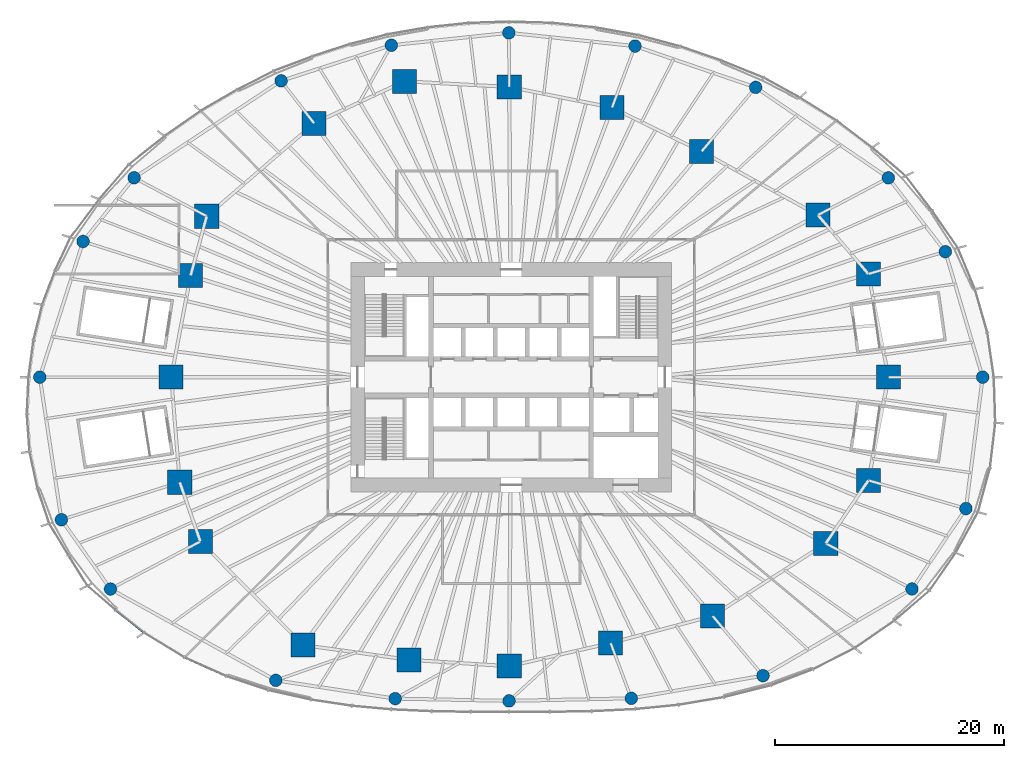
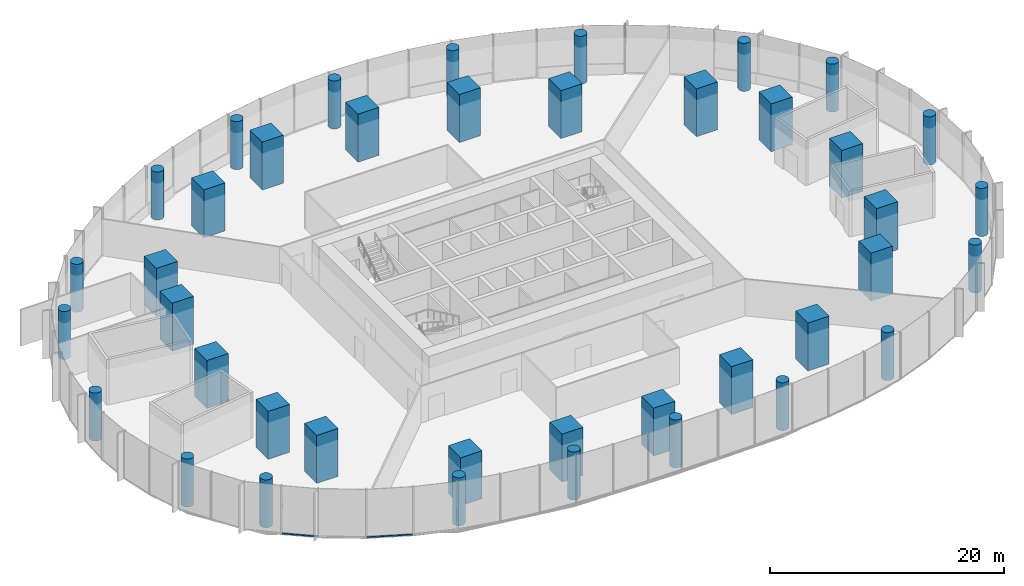
# One storey, part 1 of 27: 40 columns, 2 members, 2 elements without a shape of their own.
"""IFC4 building model written with IfcOpenShell, lengths in metres."""

import ifcopenshell
import ifcopenshell.guid

model = None  # the IFC model being written
_history = None  # IfcOwnerHistory: only IFC2X3 demands one
_inside = {}  # id of a spatial element -> (the spatial element, [elements in it])
_under = {}  # id of a project, library or spatial element -> (it, [spatial elements below it])
_declared = {}  # id of a project -> (the project, [libraries it declares])
_typed = {}  # id of a type object -> (the type object, [elements of that type])
_made_of = {}  # id of a material, layer set ... -> (it, [elements and type objects made of it])


def new_model(schema):
    """Start an empty IFC model of exactly this schema.

    Asked for "IFC4X3", IfcOpenShell would pick the latest addendum, in which some entities
    have other attributes; the version numbers below select the first issue.
    IFC2X3 requires an IfcOwnerHistory on every rooted entity: one is made here for all.
    """
    global model, _history
    if schema == "IFC4X3":
        model = ifcopenshell.file(schema_version=(4, 3, 0, 0))
    else:
        model = ifcopenshell.file(schema=schema)
    _inside.clear()
    _under.clear()
    _declared.clear()
    _typed.clear()
    _made_of.clear()
    _history = None
    if model.schema == "IFC2X3":
        org = make("IfcOrganization", Name="unknown")
        user = make(
            "IfcPersonAndOrganization",
            ThePerson=make("IfcPerson", FamilyName="unknown"),
            TheOrganization=org,
        )
        app = make(
            "IfcApplication",
            ApplicationDeveloper=org,
            Version="unknown",
            ApplicationFullName="unknown",
            ApplicationIdentifier="unknown",
        )
        _history = make(
            "IfcOwnerHistory",
            OwningUser=user,
            OwningApplication=app,
            ChangeAction="ADDED",
            CreationDate=0,
        )
    return model


def make(cls, **values):
    """One entity of the class cls with the attributes given. An attribute that is None is left unset."""
    return model.create_entity(
        cls, **{name: value for name, value in values.items() if value is not None}
    )


def rooted(cls, **values):
    """An entity with a GlobalId (a new one), such as an element, a storey or a relation."""
    return make(cls, GlobalId=ifcopenshell.guid.new(), OwnerHistory=_history, **values)


def si_unit(unit_type, name, prefix=None):
    """IfcSIUnit, for example si_unit("LENGTHUNIT", "METRE", prefix="MILLI")."""
    return make("IfcSIUnit", UnitType=unit_type, Prefix=prefix, Name=name)


def assignment(units):
    """IfcUnitAssignment: the units of a project."""
    return None if units is None else make("IfcUnitAssignment", Units=units)


def point(xyz):
    """IfcCartesianPoint."""
    return None if xyz is None else make("IfcCartesianPoint", Coordinates=xyz)


def direction(xyz):
    """IfcDirection."""
    return None if xyz is None else make("IfcDirection", DirectionRatios=xyz)


def frame(location, z_axis=None, x_axis=None):
    """IfcAxis2Placement3D, a coordinate frame: its origin and axes. An axis left out is left unset."""
    return make(
        "IfcAxis2Placement3D",
        Location=point(location),
        Axis=direction(z_axis),
        RefDirection=direction(x_axis),
    )


def frame_2d(location, x_axis=None):
    """IfcAxis2Placement2D, a coordinate frame in the plane: its origin and x axis."""
    return make(
        "IfcAxis2Placement2D", Location=point(location), RefDirection=direction(x_axis)
    )


def origin():
    """The frame at (0, 0, 0) with its axes left unset."""
    return frame((0.0, 0.0, 0.0))


def origin_2d():
    """The frame at (0, 0) in the plane with its x axis left unset."""
    return frame_2d((0.0, 0.0))


def place(relative_to, where):
    """IfcLocalPlacement: puts the frame where relative to a parent placement (None: the world)."""
    return make(
        "IfcLocalPlacement", PlacementRelTo=relative_to, RelativePlacement=where
    )


def context(
    kind, dimensions, precision=None, world=None, true_north=None, identifier=None
):
    """IfcGeometricRepresentationContext, for example the 3D "Model" context."""
    return make(
        "IfcGeometricRepresentationContext",
        ContextIdentifier=identifier,
        ContextType=kind,
        CoordinateSpaceDimension=dimensions,
        Precision=precision,
        WorldCoordinateSystem=world,
        TrueNorth=true_north,
    )


def subcontext(parent, identifier, kind, view, scale=None):
    """IfcGeometricRepresentationSubContext, for example "Body" below "Model"."""
    return make(
        "IfcGeometricRepresentationSubContext",
        ContextIdentifier=identifier,
        ContextType=kind,
        ParentContext=parent,
        TargetScale=scale,
        TargetView=view,
    )


def project(units=None, contexts=None):
    """IfcProject with its units and contexts."""
    return rooted(
        "IfcProject",
        Name="project",
        RepresentationContexts=contexts,
        UnitsInContext=assignment(units),
    )


def spatial(cls, under=None, at=None, **own):
    """A site, building, storey or space (cls), placed at a placement, below another one or the project."""
    s = rooted(cls, ObjectPlacement=at, **own)
    if under is not None:
        _under.setdefault(under.id(), (under, []))[1].append(s)
    return s


def profile(cls, at=None, kind="AREA", **sizes):
    """A parametric profile (cls). Its sizes go by their IFC names, for example OverallWidth=200.0."""
    return make(cls, ProfileType=kind, Position=at, **sizes)


def rectangle(**sizes):
    """IfcRectangleProfileDef."""
    return profile("IfcRectangleProfileDef", **sizes)


def circle(**sizes):
    """IfcCircleProfileDef."""
    return profile("IfcCircleProfileDef", **sizes)


def extrude(swept, where, along, depth):
    """IfcExtrudedAreaSolid: the profile swept, set in the frame where, extruded along a direction by depth."""
    return make(
        "IfcExtrudedAreaSolid",
        SweptArea=swept,
        Position=where,
        ExtrudedDirection=direction(along),
        Depth=depth,
    )


def shape(context_of_items, identifier, shape_type, items):
    """IfcShapeRepresentation: the items that make up one representation, for example the "Body"."""
    return make(
        "IfcShapeRepresentation",
        ContextOfItems=context_of_items,
        RepresentationIdentifier=identifier,
        RepresentationType=shape_type,
        Items=items,
    )


def material(Name=None, Category=None):
    """IfcMaterial."""
    return make("IfcMaterial", Name=Name, Category=Category)


def material_profile(
    of_material, cross_section, Name=None, Category=None, Priority=None
):
    """IfcMaterialProfile: a cross section and its material."""
    return make(
        "IfcMaterialProfile",
        Name=Name,
        Material=of_material,
        Profile=cross_section,
        Priority=Priority,
        Category=Category,
    )


def profile_set(profiles, Name=None, composite=None):
    """IfcMaterialProfileSet."""
    return make(
        "IfcMaterialProfileSet",
        Name=Name,
        MaterialProfiles=profiles,
        CompositeProfile=composite,
    )


def made_of(thing, what):
    """Note that an element or type object is made of a material, layer set ...; save() writes the relation."""
    if what is not None:
        _made_of.setdefault(what.id(), (what, []))[1].append(thing)
    return thing


def type_object(cls, material=None, **own):
    """A type object (cls), such as IfcWallType, which elements share."""
    return made_of(rooted(cls, **own), material)


def element(
    cls,
    number,
    at=None,
    inside=None,
    cuts=None,
    type_object=None,
    material=None,
    context=None,
    identifier="Body",
    shape_type=None,
    held_by="IfcProductDefinitionShape",
    body=None,
    shapes=None,
    **own,
):
    """One element of the class cls, such as IfcWall. Its Tag is "e" and its number.

    at: its placement. inside: the storey or other place that contains it. cuts: it is an
    opening in that element (IfcRelVoidsElement). A single representation is given by context,
    identifier, shape_type and body (its items); several are given by shapes. held_by: the class
    of the entity that holds the representations. save() writes the other relations.
    """
    e = rooted(cls, Tag="e%d" % number, ObjectPlacement=at, **own)
    if body is not None:
        shapes = [shape(context, identifier, shape_type, body)]
    if shapes is not None:
        e.Representation = make(held_by, Representations=shapes)
    if inside is not None:
        _inside.setdefault(inside.id(), (inside, []))[1].append(e)
    if cuts is not None:
        rooted(
            "IfcRelVoidsElement", RelatingBuildingElement=cuts, RelatedOpeningElement=e
        )
    if type_object is not None:
        _typed.setdefault(type_object.id(), (type_object, []))[1].append(e)
    return made_of(e, material)


def aggregate(whole, parts):
    """IfcRelAggregates: a whole, such as a stair, and the parts it consists of."""
    return rooted("IfcRelAggregates", RelatingObject=whole, RelatedObjects=parts)


def save(model, path):
    """Write the relations noted so far, then the file.

    IfcRelAggregates (storeys below a building ...), IfcRelContainedInSpatialStructure (elements
    in a storey), IfcRelDefinesByType, IfcRelAssociatesMaterial and IfcRelDeclares: one each for
    every whole, place, type object, material and project.
    """
    for whole, parts in _under.values():
        aggregate(whole, parts)
    for where, things in _inside.values():
        rooted(
            "IfcRelContainedInSpatialStructure",
            RelatedElements=things,
            RelatingStructure=where,
        )
    for kind, things in _typed.values():
        rooted("IfcRelDefinesByType", RelatedObjects=things, RelatingType=kind)
    for what, things in _made_of.values():
        rooted("IfcRelAssociatesMaterial", RelatedObjects=things, RelatingMaterial=what)
    for by, libraries in _declared.values():
        rooted("IfcRelDeclares", RelatingContext=by, RelatedDefinitions=libraries)
    model.write(path)


model = new_model("IFC4")

# Units and contexts
model_context = context("Model", 3, precision=1e-05, world=origin(), true_north=direction((0.0, 1.0)))
body_context = subcontext(model_context, "Body", "Model", "MODEL_VIEW")
ifc_project = project(units=[si_unit("LENGTHUNIT", "METRE"), si_unit("AREAUNIT", "SQUARE_METRE"), si_unit("VOLUMEUNIT", "CUBIC_METRE"), si_unit("PLANEANGLEUNIT", "RADIAN"), si_unit("MASSUNIT", "GRAM", prefix="KILO")], contexts=[model_context])

# Site, building, storey
site_placement = place(None, origin())
site = spatial("IfcSite", under=ifc_project, at=site_placement, CompositionType="ELEMENT")
building_placement = place(site_placement, origin())
building = spatial("IfcBuilding", under=site, at=building_placement, Name="Ghaith Harvest Tower", CompositionType="ELEMENT")
storey_placement = place(building_placement, frame((0.0, 0.0, 10.0)))
storey = spatial("IfcBuildingStorey", under=building, at=storey_placement, Name="L02", CompositionType="ELEMENT", Elevation=10.0)

# Columns
ifc_material_1 = material(Name="Concrete C70/85", Category="concrete")
ifc_material_profile_1 = material_profile(ifc_material_1, circle(Radius=0.550048828125, at=origin_2d()), Name="RC1100D")
ifc_profile_set_1 = profile_set([ifc_material_profile_1], Name="Concrete C70/85")
column_type_1 = type_object("IfcColumnType", Name="PC1 RC1100D", PredefinedType="COLUMN", material=ifc_profile_set_1)
for number, where, z_axis, x_axis, name in (
    (1, (41.14111328125, 0.0, 0.0), (0.0, 0.0, 1.0), (1.0, 0.0, 0.0), "Podium column P01"),
    (2, (37.884033203125, 10.948974609375, 0.0), (0.0, 0.0, 1.0), (1.0, 0.0, 0.0), "Podium column P02"),
    (3, (32.909912109375, 17.39501953125, 0.0), (0.0, 0.0, 1.0), (1.0, 0.0, 0.0), "Podium column P03"),
    (4, (21.327880859375, 25.2919921875, 0.0), (0.0, 0.0, 1.0), (1.0, 0.0, 0.0), "Podium column P04"),
    (5, (10.801025390625, 28.89208984375, 0.0), (0.0, 0.0, 1.0), (1.0, 0.0, 0.0), "Podium column P05"),
    (6, (-0.2060546875, 30.049072265625, 0.0), (0.0, 0.0, 1.0), (1.0, 0.0, 0.0), "Podium column P06"),
    (7, (-10.4619140625, 28.967041015625, 0.0), (0.0, 0.0, 1.0), (1.0, 0.0, 0.0), "Podium column P07"),
    (8, (-20.08203125, 25.85791015625, 0.0), (0.0, 0.0, 1.0), (1.0, 0.0, 0.0), "Podium column P08"),
    (9, (-32.9150390625, 17.39794921875, 0.0), (0.0, 0.0, 1.0), (1.0, 0.0, 0.0), "Podium column P09"),
    (10, (-37.363037109375, 11.841064453125, 0.0), (0.0, 0.0, 1.0), (1.0, 0.0, 0.0), "Podium column P10"),
    (11, (-41.14208984375, 0.0, 0.0), (0.0, 0.0, 1.0), (1.0, 0.0, 0.0), "Podium column P11"),
    (12, (-39.256103515625, -12.44091796875, 0.0), (0.0, 0.0, 1.0), (1.0, 0.0, 0.0), "Podium column P12"),
    (13, (-34.97509765625, -18.487060546875, 0.0), (0.0, 0.0, 1.0), (1.0, 0.0, 0.0), "Podium column P13"),
    (14, (-20.549072265625, -26.458984375, 0.0), (0.0, 0.0, 1.0), (1.0, 0.0, 0.0), "Podium column P14"),
    (15, (-10.131103515625, -28.050048828125, 0.0), (0.0, 0.0, 1.0), (1.0, 0.0, 0.0), "Podium column P15"),
    (16, (-0.193115234375, -28.25, 0.0), (0.0, 0.0, 1.0), (1.0, 0.0, 0.0), "Podium column P16"),
    (17, (10.47705078125, -28.027099609375, 0.0), (0.0, 0.0, 1.0), (1.0, 0.0, 0.0), "Podium column P17"),
    (18, (21.968994140625, -26.052001953125, 0.0), (0.0, 0.0, 1.0), (1.0, 0.0, 0.0), "Podium column P18"),
    (19, (34.969970703125, -18.48388671875, 0.0), (0.0, 0.0, 1.0), (1.0, 0.0, 0.0), "Podium column P19"),
    (20, (39.680908203125, -11.468994140625, 0.0), (0.0, 0.0, 1.0), (1.0, 0.0, 0.0), "Podium column P20"),
):
    element("IfcColumn", number, at=place(storey_placement, frame(where, z_axis=z_axis, x_axis=x_axis)), inside=storey, type_object=column_type_1, Name=name, PredefinedType="COLUMN", context=body_context, shape_type="SweptSolid", body=[
        extrude(circle(Radius=0.550048828125, at=origin_2d()), origin(), (0.0, 0.0, 1.0), 5.0),
    ])
ifc_material_2 = material(Name="Concrete C70/85", Category="concrete")
ifc_material_profile_2 = material_profile(ifc_material_2, rectangle(XDim=2.10009765625, YDim=2.10009765625, at=origin_2d()), Name="RC2100X2100")
ifc_profile_set_2 = profile_set([ifc_material_profile_2], Name="Concrete C70/85")
column_type_2 = type_object("IfcColumnType", Name="TC1 RC2100X2100", PredefinedType="COLUMN", material=ifc_profile_set_2)
for number, where, z_axis, x_axis, name in (
    (21, (32.925048828125, 0.0, 0.0), (0.0, 0.0, 1.0), (1.0, 0.0, 0.0), "Perimeter column C01"),
    (22, (31.166015625, 9.008056640625, 0.0), (0.0, 0.0, 1.0), (1.0, 0.0, 0.0), "Perimeter column C02"),
    (23, (26.763916015625, 14.14697265625, 0.0), (0.0, 0.0, 1.0), (1.0, 0.0, 0.0), "Perimeter column C03"),
    (24, (16.60791015625, 19.695068359375, 0.0), (0.0, 0.0, 1.0), (1.0, 0.0, 0.0), "Perimeter column C04"),
    (25, (8.794921875, 23.527099609375, 0.0), (0.0, 0.0, 1.0), (1.0, 0.0, 0.0), "Perimeter column C05"),
    (26, (-0.173095703125, 25.326904296875, 0.0), (0.0, 0.0, 1.0), (1.0, 0.0, 0.0), "Perimeter column C06"),
    (27, (-9.325927734375, 25.821044921875, 0.0), (0.0, 0.0, 1.0), (1.0, 0.0, 0.0), "Perimeter column C07"),
    (28, (-17.201904296875, 22.14990234375, 0.0), (0.0, 0.0, 1.0), (1.0, 0.0, 0.0), "Perimeter column C08"),
    (29, (-26.572998046875, 14.0458984375, 0.0), (0.0, 0.0, 1.0), (1.0, 0.0, 0.0), "Perimeter column C09"),
    (30, (-27.98291015625, 8.867919921875, 0.0), (0.0, 0.0, 1.0), (1.0, 0.0, 0.0), "Perimeter column C10"),
    (31, (-29.675048828125, 0.0, 0.0), (0.0, 0.0, 1.0), (1.0, 0.0, 0.0), "Perimeter column C11"),
    (32, (-28.929931640625, -9.16796875, 0.0), (0.0, 0.0, 1.0), (1.0, 0.0, 0.0), "Perimeter column C12"),
    (33, (-27.132080078125, -14.341064453125, 0.0), (0.0, 0.0, 1.0), (1.0, 0.0, 0.0), "Perimeter column C13"),
    (34, (-18.157958984375, -23.3798828125, 0.0), (0.0, 0.0, 1.0), (1.0, 0.0, 0.0), "Perimeter column C14"),
    (35, (-8.908935546875, -24.66796875, 0.0), (0.0, 0.0, 1.0), (1.0, 0.0, 0.0), "Perimeter column C15"),
    (36, (-0.173095703125, -25.22412109375, 0.0), (0.0, 0.0, 1.0), (1.0, 0.0, 0.0), "Perimeter column C16"),
    (37, (8.674072265625, -23.202880859375, 0.0), (0.0, 0.0, 1.0), (1.0, 0.0, 0.0), "Perimeter column C17"),
    (38, (17.572021484375, -20.8369140625, 0.0), (0.0, 0.0, 1.0), (1.0, 0.0, 0.0), "Perimeter column C18"),
    (39, (27.448974609375, -14.509033203125, 0.0), (0.0, 0.0, 1.0), (1.0, 0.0, 0.0), "Perimeter column C19"),
    (40, (31.166015625, -9.008056640625, 0.0), (0.0, 0.0, 1.0), (1.0, 0.0, 0.0), "Perimeter column C20"),
):
    element("IfcColumn", number, at=place(storey_placement, frame(where, z_axis=z_axis, x_axis=x_axis)), inside=storey, type_object=column_type_2, Name=name, PredefinedType="COLUMN", context=body_context, shape_type="SweptSolid", body=[
        extrude(rectangle(XDim=2.10009765625, YDim=2.10009765625, at=origin_2d()), origin(), (0.0, 0.0, 1.0), 5.0),
    ])

# Curtain wall, member
ifc_material_3 = material(Name="Black anodised aluminium and fritted glass", Category="aluminium")
curtain_wall_type = type_object("IfcCurtainWallType", Name="CW-P CURTAIN WALL", PredefinedType="NOTDEFINED", material=ifc_material_3)
curtain_wall_1_placement = place(storey_placement, origin())
curtain_wall_1 = element("IfcCurtainWall", 41, at=curtain_wall_1_placement, inside=storey, type_object=curtain_wall_type, Name="Curtain wall CW-P bay 12 L02", PredefinedType="NOTDEFINED")
ifc_material_4 = material(Name="Aluminium, black anodised", Category="aluminium")
ifc_material_profile_3 = material_profile(ifc_material_4, rectangle(XDim=0.179931640625, YDim=0.080078125, at=origin_2d()), Name="CW-P TRANSOM 180x80")
ifc_profile_set_3 = profile_set([ifc_material_profile_3], Name="Aluminium, black anodised")
member_type = type_object("IfcMemberType", Name="CW-P TRANSOM 180x80", PredefinedType="USERDEFINED", material=ifc_profile_set_3)
member_1_placement = place(storey_placement, frame((-34.473388671875, -20.365234375, 0.0400390625), z_axis=(0.781902271011, -0.623401025495, 0.0), x_axis=(0.623401025495, 0.781902271011, 0.0)))
member_1 = element("IfcMember", 42, at=member_1_placement, type_object=member_type, Name="CW-P transom 4 bay 12 L02", ObjectType="TRANSOM", PredefinedType="USERDEFINED", context=body_context, shape_type="SweptSolid", body=[
    extrude(rectangle(XDim=0.179931640625, YDim=0.080078125, at=origin_2d()), origin(), (0.0, 0.0, 1.0), 3.06201171875),
])
aggregate(curtain_wall_1, [member_1])

curtain_wall_2_placement = place(storey_placement, origin())
curtain_wall_2 = element("IfcCurtainWall", 43, at=curtain_wall_2_placement, inside=storey, type_object=curtain_wall_type, Name="Curtain wall CW-P bay 13 L02", PredefinedType="NOTDEFINED")
member_2_placement = place(storey_placement, frame((-28.482421875, -24.4677734375, 0.0400390625), z_axis=(0.912058610921, -0.410059861782, 0.0), x_axis=(0.410059861782, 0.912058610921, 0.0)))
member_2 = element("IfcMember", 44, at=member_2_placement, type_object=member_type, Name="CW-P transom 2 bay 13 L02", ObjectType="TRANSOM", PredefinedType="USERDEFINED", context=body_context, shape_type="SweptSolid", body=[
    extrude(rectangle(XDim=0.179931640625, YDim=0.080078125, at=origin_2d()), origin(), (0.0, 0.0, 1.0), 3.93017578125),
])
aggregate(curtain_wall_2, [member_2])

save(model, "model.ifc")
